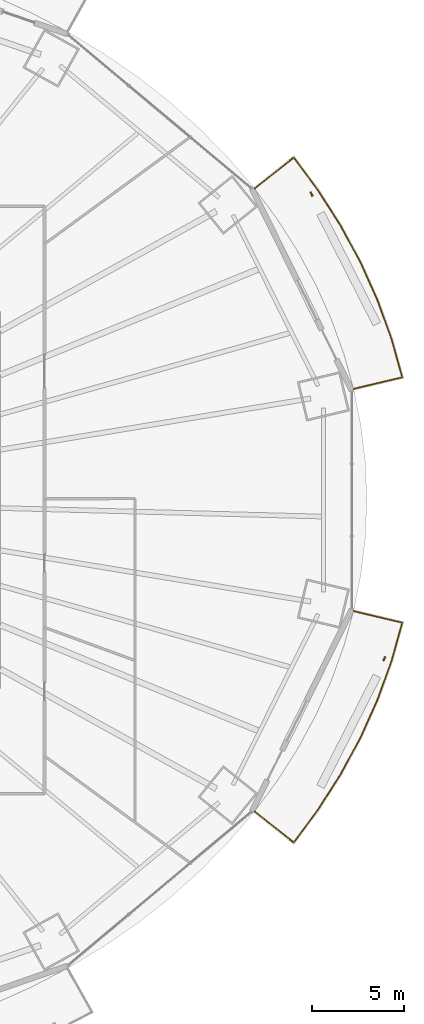
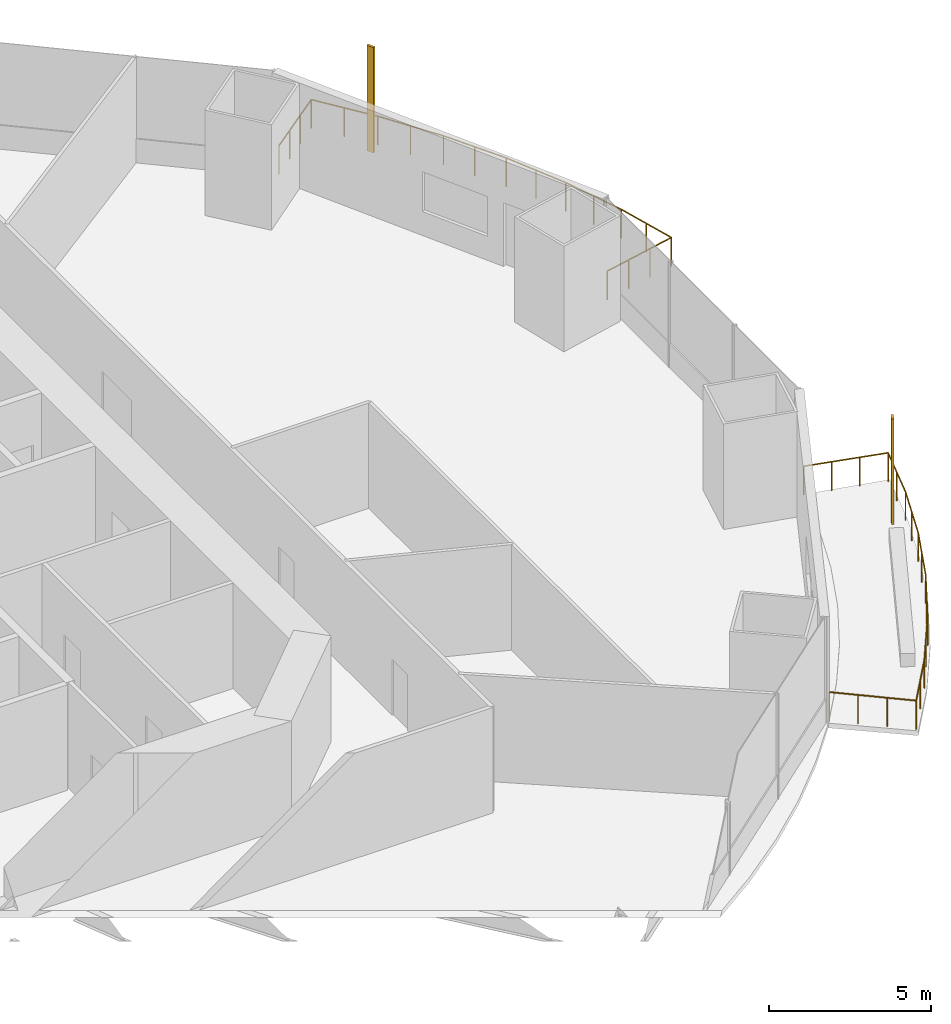
# One storey, part 22 of 23: 2 railings, 2 shading devices.
"""IFC4 building model written with IfcOpenShell, lengths in metres."""

import ifcopenshell
import ifcopenshell.guid

model = None  # the IFC model being written
_history = None  # IfcOwnerHistory: only IFC2X3 demands one
_inside = {}  # id of a spatial element -> (the spatial element, [elements in it])
_under = {}  # id of a project, library or spatial element -> (it, [spatial elements below it])
_declared = {}  # id of a project -> (the project, [libraries it declares])
_typed = {}  # id of a type object -> (the type object, [elements of that type])
_made_of = {}  # id of a material, layer set ... -> (it, [elements and type objects made of it])


def new_model(schema):
    """Start an empty IFC model of exactly this schema.

    Asked for "IFC4X3", IfcOpenShell would pick the latest addendum, in which some entities
    have other attributes; the version numbers below select the first issue.
    IFC2X3 requires an IfcOwnerHistory on every rooted entity: one is made here for all.
    """
    global model, _history
    if schema == "IFC4X3":
        model = ifcopenshell.file(schema_version=(4, 3, 0, 0))
    else:
        model = ifcopenshell.file(schema=schema)
    _inside.clear()
    _under.clear()
    _declared.clear()
    _typed.clear()
    _made_of.clear()
    _history = None
    if model.schema == "IFC2X3":
        org = make("IfcOrganization", Name="unknown")
        user = make(
            "IfcPersonAndOrganization",
            ThePerson=make("IfcPerson", FamilyName="unknown"),
            TheOrganization=org,
        )
        app = make(
            "IfcApplication",
            ApplicationDeveloper=org,
            Version="unknown",
            ApplicationFullName="unknown",
            ApplicationIdentifier="unknown",
        )
        _history = make(
            "IfcOwnerHistory",
            OwningUser=user,
            OwningApplication=app,
            ChangeAction="ADDED",
            CreationDate=0,
        )
    return model


def make(cls, **values):
    """One entity of the class cls with the attributes given. An attribute that is None is left unset."""
    return model.create_entity(
        cls, **{name: value for name, value in values.items() if value is not None}
    )


def rooted(cls, **values):
    """An entity with a GlobalId (a new one), such as an element, a storey or a relation."""
    return make(cls, GlobalId=ifcopenshell.guid.new(), OwnerHistory=_history, **values)


def si_unit(unit_type, name, prefix=None):
    """IfcSIUnit, for example si_unit("LENGTHUNIT", "METRE", prefix="MILLI")."""
    return make("IfcSIUnit", UnitType=unit_type, Prefix=prefix, Name=name)


def assignment(units):
    """IfcUnitAssignment: the units of a project."""
    return None if units is None else make("IfcUnitAssignment", Units=units)


def point(xyz):
    """IfcCartesianPoint."""
    return None if xyz is None else make("IfcCartesianPoint", Coordinates=xyz)


def direction(xyz):
    """IfcDirection."""
    return None if xyz is None else make("IfcDirection", DirectionRatios=xyz)


def frame(location, z_axis=None, x_axis=None):
    """IfcAxis2Placement3D, a coordinate frame: its origin and axes. An axis left out is left unset."""
    return make(
        "IfcAxis2Placement3D",
        Location=point(location),
        Axis=direction(z_axis),
        RefDirection=direction(x_axis),
    )


def frame_2d(location, x_axis=None):
    """IfcAxis2Placement2D, a coordinate frame in the plane: its origin and x axis."""
    return make(
        "IfcAxis2Placement2D", Location=point(location), RefDirection=direction(x_axis)
    )


def origin():
    """The frame at (0, 0, 0) with its axes left unset."""
    return frame((0.0, 0.0, 0.0))


def origin_2d():
    """The frame at (0, 0) in the plane with its x axis left unset."""
    return frame_2d((0.0, 0.0))


def place(relative_to, where):
    """IfcLocalPlacement: puts the frame where relative to a parent placement (None: the world)."""
    return make(
        "IfcLocalPlacement", PlacementRelTo=relative_to, RelativePlacement=where
    )


def context(
    kind, dimensions, precision=None, world=None, true_north=None, identifier=None
):
    """IfcGeometricRepresentationContext, for example the 3D "Model" context."""
    return make(
        "IfcGeometricRepresentationContext",
        ContextIdentifier=identifier,
        ContextType=kind,
        CoordinateSpaceDimension=dimensions,
        Precision=precision,
        WorldCoordinateSystem=world,
        TrueNorth=true_north,
    )


def subcontext(parent, identifier, kind, view, scale=None):
    """IfcGeometricRepresentationSubContext, for example "Body" below "Model"."""
    return make(
        "IfcGeometricRepresentationSubContext",
        ContextIdentifier=identifier,
        ContextType=kind,
        ParentContext=parent,
        TargetScale=scale,
        TargetView=view,
    )


def project(units=None, contexts=None):
    """IfcProject with its units and contexts."""
    return rooted(
        "IfcProject",
        Name="project",
        RepresentationContexts=contexts,
        UnitsInContext=assignment(units),
    )


def spatial(cls, under=None, at=None, **own):
    """A site, building, storey or space (cls), placed at a placement, below another one or the project."""
    s = rooted(cls, ObjectPlacement=at, **own)
    if under is not None:
        _under.setdefault(under.id(), (under, []))[1].append(s)
    return s


def profile(cls, at=None, kind="AREA", **sizes):
    """A parametric profile (cls). Its sizes go by their IFC names, for example OverallWidth=200.0."""
    return make(cls, ProfileType=kind, Position=at, **sizes)


def rectangle(**sizes):
    """IfcRectangleProfileDef."""
    return profile("IfcRectangleProfileDef", **sizes)


def circle(**sizes):
    """IfcCircleProfileDef."""
    return profile("IfcCircleProfileDef", **sizes)


def extrude(swept, where, along, depth):
    """IfcExtrudedAreaSolid: the profile swept, set in the frame where, extruded along a direction by depth."""
    return make(
        "IfcExtrudedAreaSolid",
        SweptArea=swept,
        Position=where,
        ExtrudedDirection=direction(along),
        Depth=depth,
    )


def shape(context_of_items, identifier, shape_type, items):
    """IfcShapeRepresentation: the items that make up one representation, for example the "Body"."""
    return make(
        "IfcShapeRepresentation",
        ContextOfItems=context_of_items,
        RepresentationIdentifier=identifier,
        RepresentationType=shape_type,
        Items=items,
    )


def material(Name=None, Category=None):
    """IfcMaterial."""
    return make("IfcMaterial", Name=Name, Category=Category)


def material_profile(
    of_material, cross_section, Name=None, Category=None, Priority=None
):
    """IfcMaterialProfile: a cross section and its material."""
    return make(
        "IfcMaterialProfile",
        Name=Name,
        Material=of_material,
        Profile=cross_section,
        Priority=Priority,
        Category=Category,
    )


def profile_set(profiles, Name=None, composite=None):
    """IfcMaterialProfileSet."""
    return make(
        "IfcMaterialProfileSet",
        Name=Name,
        MaterialProfiles=profiles,
        CompositeProfile=composite,
    )


def made_of(thing, what):
    """Note that an element or type object is made of a material, layer set ...; save() writes the relation."""
    if what is not None:
        _made_of.setdefault(what.id(), (what, []))[1].append(thing)
    return thing


def type_object(cls, material=None, **own):
    """A type object (cls), such as IfcWallType, which elements share."""
    return made_of(rooted(cls, **own), material)


def element(
    cls,
    number,
    at=None,
    inside=None,
    cuts=None,
    type_object=None,
    material=None,
    context=None,
    identifier="Body",
    shape_type=None,
    held_by="IfcProductDefinitionShape",
    body=None,
    shapes=None,
    **own,
):
    """One element of the class cls, such as IfcWall. Its Tag is "e" and its number.

    at: its placement. inside: the storey or other place that contains it. cuts: it is an
    opening in that element (IfcRelVoidsElement). A single representation is given by context,
    identifier, shape_type and body (its items); several are given by shapes. held_by: the class
    of the entity that holds the representations. save() writes the other relations.
    """
    e = rooted(cls, Tag="e%d" % number, ObjectPlacement=at, **own)
    if body is not None:
        shapes = [shape(context, identifier, shape_type, body)]
    if shapes is not None:
        e.Representation = make(held_by, Representations=shapes)
    if inside is not None:
        _inside.setdefault(inside.id(), (inside, []))[1].append(e)
    if cuts is not None:
        rooted(
            "IfcRelVoidsElement", RelatingBuildingElement=cuts, RelatedOpeningElement=e
        )
    if type_object is not None:
        _typed.setdefault(type_object.id(), (type_object, []))[1].append(e)
    return made_of(e, material)


def aggregate(whole, parts):
    """IfcRelAggregates: a whole, such as a stair, and the parts it consists of."""
    return rooted("IfcRelAggregates", RelatingObject=whole, RelatedObjects=parts)


def save(model, path):
    """Write the relations noted so far, then the file.

    IfcRelAggregates (storeys below a building ...), IfcRelContainedInSpatialStructure (elements
    in a storey), IfcRelDefinesByType, IfcRelAssociatesMaterial and IfcRelDeclares: one each for
    every whole, place, type object, material and project.
    """
    for whole, parts in _under.values():
        aggregate(whole, parts)
    for where, things in _inside.values():
        rooted(
            "IfcRelContainedInSpatialStructure",
            RelatedElements=things,
            RelatingStructure=where,
        )
    for kind, things in _typed.values():
        rooted("IfcRelDefinesByType", RelatedObjects=things, RelatingType=kind)
    for what, things in _made_of.values():
        rooted("IfcRelAssociatesMaterial", RelatedObjects=things, RelatingMaterial=what)
    for by, libraries in _declared.values():
        rooted("IfcRelDeclares", RelatingContext=by, RelatedDefinitions=libraries)
    model.write(path)


model = new_model("IFC4")

# Units and contexts
model_context = context("Model", 3, precision=1e-05, world=origin(), true_north=direction((0.0, 1.0)))
body_context = subcontext(model_context, "Body", "Model", "MODEL_VIEW")
ifc_project = project(units=[si_unit("LENGTHUNIT", "METRE"), si_unit("AREAUNIT", "SQUARE_METRE"), si_unit("VOLUMEUNIT", "CUBIC_METRE"), si_unit("PLANEANGLEUNIT", "RADIAN"), si_unit("MASSUNIT", "GRAM", prefix="KILO")], contexts=[model_context])

# Site, building, storey
site_placement = place(None, origin())
site = spatial("IfcSite", under=ifc_project, at=site_placement, CompositionType="ELEMENT")
building_placement = place(site_placement, origin())
building = spatial("IfcBuilding", under=site, at=building_placement, Name="Marenthal Gate Tower", CompositionType="ELEMENT")
storey_placement = place(building_placement, frame((0.0, 0.0, 49.60009765625)))
storey = spatial("IfcBuildingStorey", under=building, at=storey_placement, Name="L08", CompositionType="ELEMENT", Elevation=49.60009765625)

# Railings
ifc_material_1 = material(Name="Stainless steel", Category="steel")
railing_type = type_object("IfcRailingType", Name="Balcony guard 1100", PredefinedType="GUARDRAIL", material=ifc_material_1)
railing_1_placement = place(storey_placement, frame((30.44677734375, 16.957275390625, 0.0)))
element("IfcRailing", 1, at=railing_1_placement, inside=storey, type_object=railing_type, Name="Balcony guard L08 bay 1", PredefinedType="GUARDRAIL", context=body_context, shape_type="SweptSolid", body=[
    extrude(circle(Radius=0.02392578125, at=origin_2d()), frame((0.0, 0.0, 1.076171875), z_axis=(0.782017214913, 0.623083029968, -0.014717790136), x_axis=(-0.623150524983, 0.782101926358, 0.0)), (0.0, 0.0, 1.0), 2.720458984375),
    extrude(circle(Radius=0.02392578125, at=origin_2d()), frame((2.12744140625, 1.695068359375, 1.0361328125), z_axis=(0.594837345743, -0.803846087326, 0.0), x_axis=(0.803846087326, 0.594837345743, 0.0)), (0.0, 0.0, 1.0), 2.22998046875),
    extrude(circle(Radius=0.02392578125, at=origin_2d()), frame((3.453857421875, -0.097412109375, 1.0361328125), z_axis=(0.537716445458, -0.843125746425, 0.0), x_axis=(0.843125746425, 0.537716445458, 0.0)), (0.0, 0.0, 1.0), 2.291015625),
    extrude(circle(Radius=0.02392578125, at=origin_2d()), frame((4.685791015625, -2.029052734375, 1.0361328125), z_axis=(0.475629312141, -0.879645813628, 0.0), x_axis=(0.879645813628, 0.475629312141, 0.0)), (0.0, 0.0, 1.0), 2.27392578125),
    extrude(circle(Radius=0.02392578125, at=origin_2d()), frame((5.767333984375, -4.029296875, 1.0361328125), z_axis=(0.409595910935, -0.912267060539, 0.0), x_axis=(0.912267060539, 0.409595910935, 0.0)), (0.0, 0.0, 1.0), 2.258544921875),
    extrude(circle(Radius=0.02392578125, at=origin_2d()), frame((6.6923828125, -6.089599609375, 1.0361328125), z_axis=(0.340363176703, -0.940294053977, 0.0), x_axis=(0.940294053977, 0.340363176703, 0.0)), (0.0, 0.0, 1.0), 2.2451171875),
    extrude(circle(Radius=0.02392578125, at=origin_2d()), frame((7.45654296875, -8.20068359375, 1.0361328125), z_axis=(0.269402906993, -0.963027556046, 0.0), x_axis=(0.963027556046, 0.269402906993, 0.0)), (0.0, 0.0, 1.0), 2.154052734375),
    extrude(circle(Radius=0.02392578125, at=origin_2d()), frame((8.036865234375, -10.275146484375, 1.0361328125), z_axis=(-0.972906523904, -0.230729884047, 0.014717892254), x_axis=(0.230754878041, -0.973011914758, 0.0)), (0.0, 0.0, 1.0), 2.720458984375),
    extrude(circle(Radius=0.02099609375, at=origin_2d()), origin(), (0.0, 0.0, 1.0), 1.052001953125),
    extrude(circle(Radius=0.02099609375, at=origin_2d()), frame((0.709228515625, 0.56494140625, -0.013427734375)), (0.0, 0.0, 1.0), 1.052001953125),
    extrude(circle(Radius=0.02099609375, at=origin_2d()), frame((1.418212890625, 1.130126953125, -0.026611328125)), (0.0, 0.0, 1.0), 1.052001953125),
    extrude(circle(Radius=0.02099609375, at=origin_2d()), frame((2.12744140625, 1.695068359375, -0.0400390625)), (0.0, 0.0, 1.0), 1.052001953125),
    extrude(circle(Radius=0.02099609375, at=origin_2d()), frame((2.79052734375, 0.798828125, -0.0400390625)), (0.0, 0.0, 1.0), 1.052001953125),
    extrude(circle(Radius=0.02099609375, at=origin_2d()), frame((3.453857421875, -0.097412109375, -0.0400390625)), (0.0, 0.0, 1.0), 1.052001953125),
    extrude(circle(Radius=0.02099609375, at=origin_2d()), frame((4.06982421875, -1.063232421875, -0.0400390625)), (0.0, 0.0, 1.0), 1.052001953125),
    extrude(circle(Radius=0.02099609375, at=origin_2d()), frame((4.685791015625, -2.029052734375, -0.0400390625)), (0.0, 0.0, 1.0), 1.052001953125),
    extrude(circle(Radius=0.02099609375, at=origin_2d()), frame((5.2265625, -3.029296875, -0.0400390625)), (0.0, 0.0, 1.0), 1.052001953125),
    extrude(circle(Radius=0.02099609375, at=origin_2d()), frame((5.767333984375, -4.029296875, -0.0400390625)), (0.0, 0.0, 1.0), 1.052001953125),
    extrude(circle(Radius=0.02099609375, at=origin_2d()), frame((6.22998046875, -5.0595703125, -0.0400390625)), (0.0, 0.0, 1.0), 1.052001953125),
    extrude(circle(Radius=0.02099609375, at=origin_2d()), frame((6.6923828125, -6.089599609375, -0.0400390625)), (0.0, 0.0, 1.0), 1.052001953125),
    extrude(circle(Radius=0.02099609375, at=origin_2d()), frame((7.074462890625, -7.14501953125, -0.0400390625)), (0.0, 0.0, 1.0), 1.052001953125),
    extrude(circle(Radius=0.02099609375, at=origin_2d()), frame((7.45654296875, -8.20068359375, -0.0400390625)), (0.0, 0.0, 1.0), 1.052001953125),
    extrude(circle(Radius=0.02099609375, at=origin_2d()), frame((7.74658203125, -9.23779296875, -0.0400390625)), (0.0, 0.0, 1.0), 1.052001953125),
    extrude(circle(Radius=0.02099609375, at=origin_2d()), frame((8.036865234375, -10.275146484375, -0.0400390625)), (0.0, 0.0, 1.0), 1.052001953125),
    extrude(circle(Radius=0.02099609375, at=origin_2d()), frame((7.154541015625, -10.484375, -0.026611328125)), (0.0, 0.0, 1.0), 1.052001953125),
    extrude(circle(Radius=0.02099609375, at=origin_2d()), frame((6.2724609375, -10.693603515625, -0.013427734375)), (0.0, 0.0, 1.0), 1.052001953125),
    extrude(circle(Radius=0.02099609375, at=origin_2d()), frame((5.39013671875, -10.90283203125, 0.0)), (0.0, 0.0, 1.0), 1.052001953125),
])
railing_2_placement = place(storey_placement, frame((35.8369140625, -6.054443359375, 0.0)))
element("IfcRailing", 2, at=railing_2_placement, inside=storey, type_object=railing_type, Name="Balcony guard L08 bay 15", PredefinedType="GUARDRAIL", context=body_context, shape_type="SweptSolid", body=[
    extrude(circle(Radius=0.02392578125, at=origin_2d()), frame((0.0, 0.0, 1.076171875), z_axis=(0.972906523904, -0.230729884047, -0.014717892254), x_axis=(0.230754878041, 0.973011914758, 0.0)), (0.0, 0.0, 1.0), 2.720458984375),
    extrude(circle(Radius=0.02392578125, at=origin_2d()), frame((2.646728515625, -0.627685546875, 1.0361328125), z_axis=(-0.269402906993, -0.963027556046, 0.0), x_axis=(0.963027556046, -0.269402906993, 0.0)), (0.0, 0.0, 1.0), 2.154052734375),
    extrude(circle(Radius=0.02392578125, at=origin_2d()), frame((2.06640625, -2.7021484375, 1.0361328125), z_axis=(-0.340363176703, -0.940294053977, 0.0), x_axis=(0.940294053977, -0.340363176703, 0.0)), (0.0, 0.0, 1.0), 2.2451171875),
    extrude(circle(Radius=0.02392578125, at=origin_2d()), frame((1.30224609375, -4.813232421875, 1.0361328125), z_axis=(-0.409595910935, -0.912267060539, 0.0), x_axis=(0.912267060539, -0.409595910935, 0.0)), (0.0, 0.0, 1.0), 2.258544921875),
    extrude(circle(Radius=0.02392578125, at=origin_2d()), frame((0.377197265625, -6.87353515625, 1.0361328125), z_axis=(-0.475629312141, -0.879645813628, 0.0), x_axis=(0.879645813628, -0.475629312141, 0.0)), (0.0, 0.0, 1.0), 2.27392578125),
    extrude(circle(Radius=0.02392578125, at=origin_2d()), frame((-0.704345703125, -8.873779296875, 1.0361328125), z_axis=(-0.537716445458, -0.843125746425, 0.0), x_axis=(0.843125746425, -0.537716445458, 0.0)), (0.0, 0.0, 1.0), 2.291015625),
    extrude(circle(Radius=0.02392578125, at=origin_2d()), frame((-1.936279296875, -10.805419921875, 1.0361328125), z_axis=(-0.594837345743, -0.803846087326, 0.0), x_axis=(0.803846087326, -0.594837345743, 0.0)), (0.0, 0.0, 1.0), 2.22998046875),
    extrude(circle(Radius=0.02392578125, at=origin_2d()), frame((-3.2626953125, -12.597900390625, 1.0361328125), z_axis=(-0.782017214913, 0.623083029968, 0.014717790136), x_axis=(-0.623150524983, -0.782101926358, 0.0)), (0.0, 0.0, 1.0), 2.720458984375),
    extrude(circle(Radius=0.02099609375, at=origin_2d()), origin(), (0.0, 0.0, 1.0), 1.052001953125),
    extrude(circle(Radius=0.02099609375, at=origin_2d()), frame((0.88232421875, -0.209228515625, -0.013427734375)), (0.0, 0.0, 1.0), 1.052001953125),
    extrude(circle(Radius=0.02099609375, at=origin_2d()), frame((1.764404296875, -0.41845703125, -0.026611328125)), (0.0, 0.0, 1.0), 1.052001953125),
    extrude(circle(Radius=0.02099609375, at=origin_2d()), frame((2.646728515625, -0.627685546875, -0.0400390625)), (0.0, 0.0, 1.0), 1.052001953125),
    extrude(circle(Radius=0.02099609375, at=origin_2d()), frame((2.3564453125, -1.6650390625, -0.0400390625)), (0.0, 0.0, 1.0), 1.052001953125),
    extrude(circle(Radius=0.02099609375, at=origin_2d()), frame((2.06640625, -2.7021484375, -0.0400390625)), (0.0, 0.0, 1.0), 1.052001953125),
    extrude(circle(Radius=0.02099609375, at=origin_2d()), frame((1.684326171875, -3.7578125, -0.0400390625)), (0.0, 0.0, 1.0), 1.052001953125),
    extrude(circle(Radius=0.02099609375, at=origin_2d()), frame((1.30224609375, -4.813232421875, -0.0400390625)), (0.0, 0.0, 1.0), 1.052001953125),
    extrude(circle(Radius=0.02099609375, at=origin_2d()), frame((0.83984375, -5.84326171875, -0.0400390625)), (0.0, 0.0, 1.0), 1.052001953125),
    extrude(circle(Radius=0.02099609375, at=origin_2d()), frame((0.377197265625, -6.87353515625, -0.0400390625)), (0.0, 0.0, 1.0), 1.052001953125),
    extrude(circle(Radius=0.02099609375, at=origin_2d()), frame((-0.16357421875, -7.87353515625, -0.0400390625)), (0.0, 0.0, 1.0), 1.052001953125),
    extrude(circle(Radius=0.02099609375, at=origin_2d()), frame((-0.704345703125, -8.873779296875, -0.0400390625)), (0.0, 0.0, 1.0), 1.052001953125),
    extrude(circle(Radius=0.02099609375, at=origin_2d()), frame((-1.3203125, -9.839599609375, -0.0400390625)), (0.0, 0.0, 1.0), 1.052001953125),
    extrude(circle(Radius=0.02099609375, at=origin_2d()), frame((-1.936279296875, -10.805419921875, -0.0400390625)), (0.0, 0.0, 1.0), 1.052001953125),
    extrude(circle(Radius=0.02099609375, at=origin_2d()), frame((-2.599609375, -11.70166015625, -0.0400390625)), (0.0, 0.0, 1.0), 1.052001953125),
    extrude(circle(Radius=0.02099609375, at=origin_2d()), frame((-3.2626953125, -12.597900390625, -0.0400390625)), (0.0, 0.0, 1.0), 1.052001953125),
    extrude(circle(Radius=0.02099609375, at=origin_2d()), frame((-3.971923828125, -12.032958984375, -0.026611328125)), (0.0, 0.0, 1.0), 1.052001953125),
    extrude(circle(Radius=0.02099609375, at=origin_2d()), frame((-4.680908203125, -11.4677734375, -0.013427734375)), (0.0, 0.0, 1.0), 1.052001953125),
    extrude(circle(Radius=0.02099609375, at=origin_2d()), frame((-5.39013671875, -10.90283203125, 0.0)), (0.0, 0.0, 1.0), 1.052001953125),
])

# Shading devices
ifc_material_2 = material(Name="Terracotta", Category="masonry")
ifc_material_profile = material_profile(ifc_material_2, rectangle(XDim=0.25, YDim=0.080078125, at=origin_2d()), Name="Terracotta baguette 250x80")
ifc_profile_set = profile_set([ifc_material_profile], Name="Terracotta")
shading_device_type = type_object("IfcShadingDeviceType", Name="Terracotta BAGUETTE SCREEN 250x80", PredefinedType="USERDEFINED", material=ifc_profile_set)
for number, where, z_axis, x_axis, name in (
    (3, (33.545654296875, 16.658935546875, -0.0400390625), (0.0, 0.0, 1.0), (-0.44305812807, 0.89649288628, 0.0), "Terracotta BAGUETTE L08 bay 1R"),
    (4, (37.507080078125, -8.643310546875, -0.0400390625), (0.0, 0.0, 1.0), (0.44305812807, 0.89649288628, 0.0), "Terracotta BAGUETTE L08 bay 15R"),
):
    element("IfcShadingDevice", number, at=place(storey_placement, frame(where, z_axis=z_axis, x_axis=x_axis)), inside=storey, type_object=shading_device_type, Name=name, ObjectType="BAGUETTE SCREEN", PredefinedType="USERDEFINED", context=body_context, shape_type="SweptSolid", body=[
        extrude(rectangle(XDim=0.25, YDim=0.080078125, at=origin_2d()), origin(), (0.0, 0.0, 1.0), 3.969970703125),
    ])

save(model, "model.ifc")
